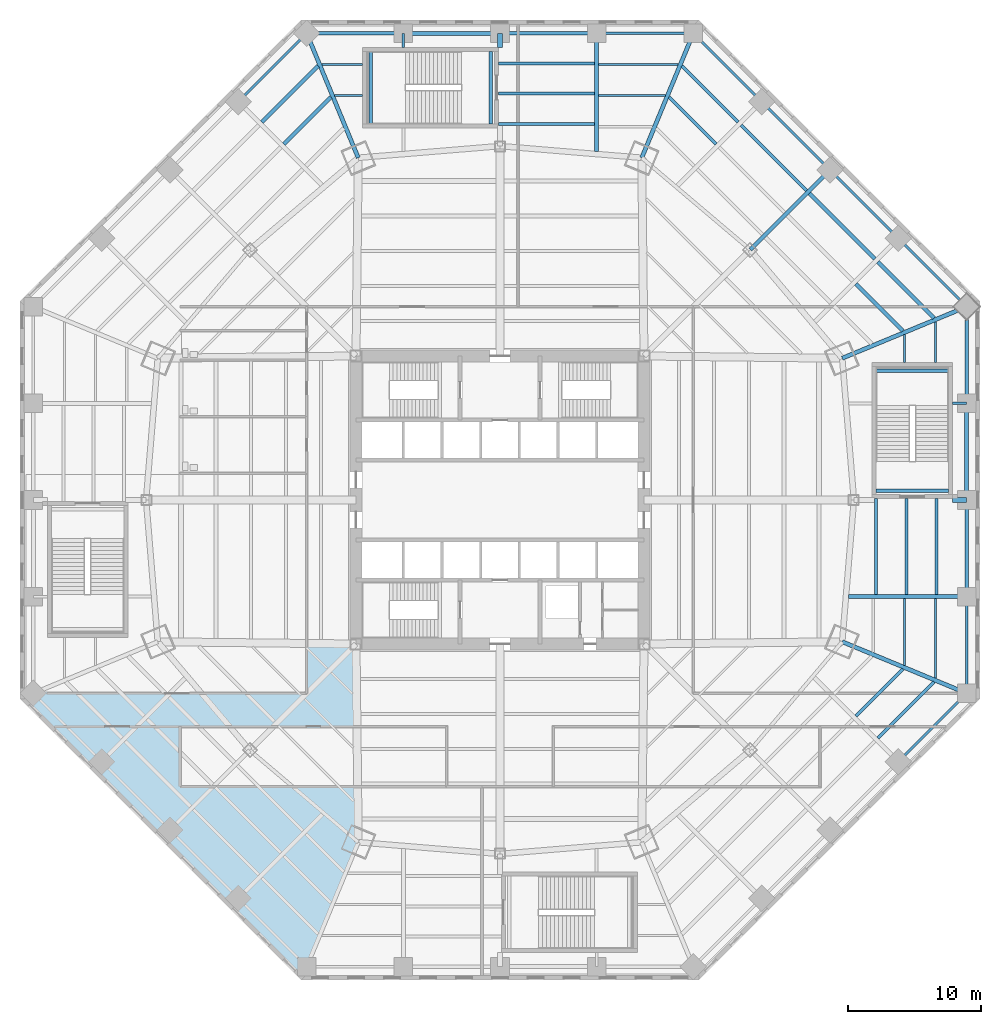
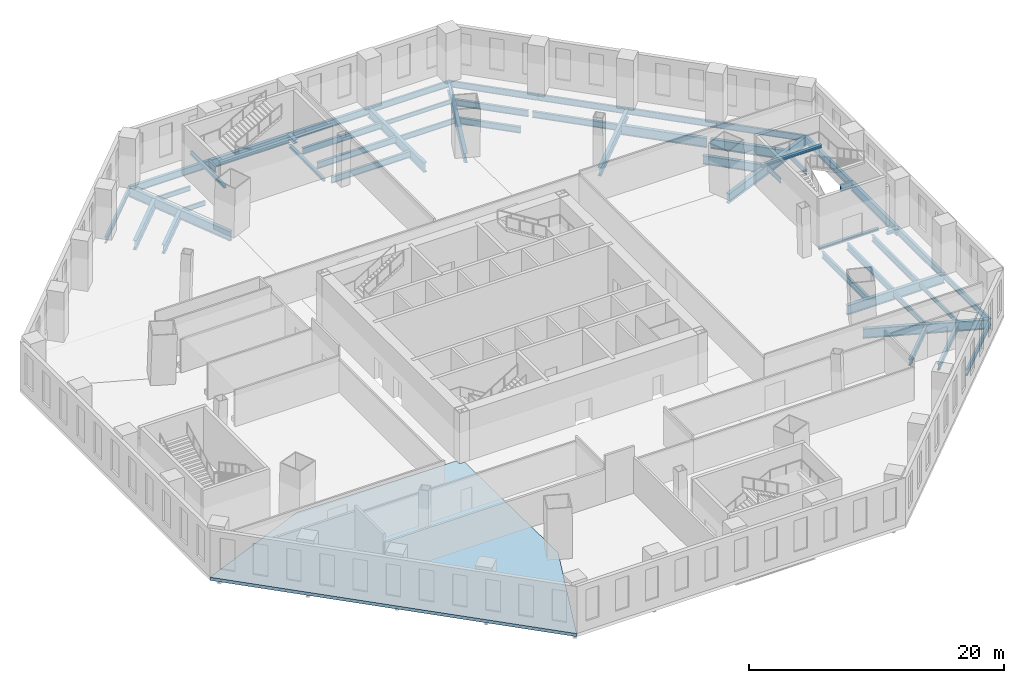
# One storey, part 6 of 19: 49 beams, 4 members, 1 slab.
"""IFC4 building model written with IfcOpenShell, lengths in metres."""

from ifc_helpers import new_model, si_unit, direction, frame, origin, origin_2d, place, context, subcontext, project, spatial, polyline, i_section, outline, extrude, source, transform, mapped, material, layer, layer_set, material_profile, profile_set, type_object, type_shapes, element, save


model = new_model("IFC4")

# Units and contexts
model_context = context("Model", 3, precision=1e-05, world=origin(), true_north=direction((0.0, 1.0)))
body_context = subcontext(model_context, "Body", "Model", "MODEL_VIEW")
ifc_project = project(units=[si_unit("LENGTHUNIT", "METRE"), si_unit("AREAUNIT", "SQUARE_METRE"), si_unit("VOLUMEUNIT", "CUBIC_METRE"), si_unit("PLANEANGLEUNIT", "RADIAN"), si_unit("MASSUNIT", "GRAM", prefix="KILO")], contexts=[model_context])

# Site, building, storey
site_placement = place(None, origin())
site = spatial("IfcSite", under=ifc_project, at=site_placement, CompositionType="ELEMENT")
building_placement = place(site_placement, origin())
building = spatial("IfcBuilding", under=site, at=building_placement, Name="Mashrafa Tower", CompositionType="ELEMENT")
storey_placement = place(building_placement, frame((0.0, 0.0, 24.0)))
storey = spatial("IfcBuildingStorey", under=building, at=storey_placement, Name="L04", CompositionType="ELEMENT", Elevation=24.0)

# Beams
ifc_material_1 = material(Name="Steel ASTM A992", Category="steel")
ifc_material_profile_1 = material_profile(ifc_material_1, i_section(OverallWidth=0.140380859375, OverallDepth=0.40380859375, WebThickness=0.007080078125, FlangeThickness=0.01123046875, FilletRadius=0.01025390625, at=origin_2d()), Name="W16X31")
ifc_profile_set_1 = profile_set([ifc_material_profile_1], Name="Steel ASTM A992")
beam_type_1 = type_object("IfcBeamType", Name="Beam W16X31", PredefinedType="BEAM", material=ifc_profile_set_1)
for number, where, z_axis, x_axis, name in (
    (1, (7.40234375, 32.66650390625, -0.501953125), (1.0, 0.0, 0.0), (0.0, 1.0, 0.0), "Floor beam L04 071"),
    (2, (32.66650390625, -7.40234375, -0.501953125), (0.0, -1.0, 0.0), (1.0, 0.0, 0.0), "Floor beam L04 118"),
):
    element("IfcBeam", number, at=place(storey_placement, frame(where, z_axis=z_axis, x_axis=x_axis)), inside=storey, type_object=beam_type_1, Name=name, PredefinedType="BEAM", context=body_context, shape_type="SweptSolid", body=[
        extrude(i_section(OverallWidth=0.140380859375, OverallDepth=0.40380859375, WebThickness=0.007080078125, FlangeThickness=0.01123046875, FilletRadius=0.01025390625, at=origin_2d()), origin(), (0.0, 0.0, 1.0), 5.962158203125),
    ])
ifc_material_2 = material(Name="Steel ASTM A992", Category="steel")
ifc_material_profile_2 = material_profile(ifc_material_2, i_section(OverallWidth=0.15234375, OverallDepth=0.449462890625, WebThickness=0.007568359375, FlangeThickness=0.0107421875, FilletRadius=0.01025390625, at=origin_2d()), Name="W18X35")
ifc_profile_set_2 = profile_set([ifc_material_profile_2], Name="Steel ASTM A992")
beam_type_2 = type_object("IfcBeamType", Name="Beam W18X35", PredefinedType="BEAM", material=ifc_profile_set_2)
beam_1_placement = place(storey_placement, frame((-13.364501953125, 32.66650390625, -0.52490234375), z_axis=(1.0, 0.0, 0.0), x_axis=(0.0, 1.0, 0.0)))
element("IfcBeam", 3, at=beam_1_placement, inside=storey, type_object=beam_type_2, Name="Floor beam L04 034", PredefinedType="BEAM", context=body_context, shape_type="SweptSolid", body=[
    extrude(i_section(OverallWidth=0.15234375, OverallDepth=0.449462890625, WebThickness=0.007568359375, FlangeThickness=0.0107421875, FilletRadius=0.01025390625, at=origin_2d()), origin(), (0.0, 0.0, 1.0), 3.064453125),
])
for number, where, z_axis, x_axis, name in (
    (4, (-12.398193359375, 30.3330078125, -0.52490234375), (1.0, 0.0, 0.0), (0.0, 1.0, 0.0), "Floor beam L04 040"),
    (5, (30.3330078125, 12.398193359375, -0.52490234375), (0.0, -1.0, 0.0), (1.0, 0.0, 0.0), "Floor beam L04 115"),
):
    element("IfcBeam", number, at=place(storey_placement, frame(where, z_axis=z_axis, x_axis=x_axis)), inside=storey, type_object=beam_type_2, Name=name, PredefinedType="BEAM", context=body_context, shape_type="SweptSolid", body=[
        extrude(i_section(OverallWidth=0.15234375, OverallDepth=0.449462890625, WebThickness=0.007568359375, FlangeThickness=0.0107421875, FilletRadius=0.01025390625, at=origin_2d()), origin(), (0.0, 0.0, 1.0), 2.09814453125),
    ])
beam_2_placement = place(storey_placement, frame((32.66650390625, 13.364501953125, -0.52490234375), z_axis=(0.0, -1.0, 0.0), x_axis=(1.0, 0.0, 0.0)))
element("IfcBeam", 6, at=beam_2_placement, inside=storey, type_object=beam_type_2, Name="Floor beam L04 119", PredefinedType="BEAM", context=body_context, shape_type="SweptSolid", body=[
    extrude(i_section(OverallWidth=0.15234375, OverallDepth=0.449462890625, WebThickness=0.007568359375, FlangeThickness=0.0107421875, FilletRadius=0.01025390625, at=origin_2d()), origin(), (0.0, 0.0, 1.0), 3.064453125),
])
ifc_material_3 = material(Name="Steel ASTM A992", Category="steel")
ifc_material_profile_3 = material_profile(ifc_material_3, i_section(OverallWidth=0.1650390625, OverallDepth=0.52587890625, WebThickness=0.0087890625, FlangeThickness=0.011474609375, FilletRadius=0.0126953125, at=origin_2d()), Name="W21X44")
ifc_profile_set_3 = profile_set([ifc_material_profile_3], Name="Steel ASTM A992")
beam_type_3 = type_object("IfcBeamType", Name="Beam W21X44", PredefinedType="BEAM", material=ifc_profile_set_3)
for number, where, z_axis, x_axis, name in (
    (7, (7.40234375, 30.3330078125, -0.56298828125), (1.0, 0.0, 0.0), (0.0, 1.0, 0.0), "Floor beam L04 070"),
    (8, (30.3330078125, -7.40234375, -0.56298828125), (0.0, -1.0, 0.0), (1.0, 0.0, 0.0), "Floor beam L04 114"),
):
    element("IfcBeam", number, at=place(storey_placement, frame(where, z_axis=z_axis, x_axis=x_axis)), inside=storey, type_object=beam_type_3, Name=name, PredefinedType="BEAM", context=body_context, shape_type="SweptSolid", body=[
        extrude(i_section(OverallWidth=0.1650390625, OverallDepth=0.52587890625, WebThickness=0.0087890625, FlangeThickness=0.011474609375, FilletRadius=0.0126953125, at=origin_2d()), origin(), (0.0, 0.0, 1.0), 4.995849609375),
    ])
ifc_material_4 = material(Name="Steel ASTM A992", Category="steel")
ifc_material_profile_4 = material_profile(ifc_material_4, i_section(OverallWidth=0.177978515625, OverallDepth=0.599365234375, WebThickness=0.010009765625, FlangeThickness=0.012939453125, FilletRadius=0.012939453125, at=origin_2d()), Name="W24X55")
ifc_profile_set_4 = profile_set([ifc_material_profile_4], Name="Steel ASTM A992")
beam_type_4 = type_object("IfcBeamType", Name="Beam W24X55", PredefinedType="BEAM", material=ifc_profile_set_4)
beam_3_placement = place(storey_placement, frame((-14.49755859375, 35.0, -0.599609375), z_axis=(-0.707106781187, -0.707106781187, 0.0), x_axis=(0.707106781187, -0.707106781187, 0.0)))
element("IfcBeam", 9, at=beam_3_placement, inside=storey, type_object=beam_type_4, Name="Podium edge beam L04 133", PredefinedType="BEAM", context=body_context, shape_type="SweptSolid", body=[
    extrude(i_section(OverallWidth=0.177978515625, OverallDepth=0.599365234375, WebThickness=0.010009765625, FlangeThickness=0.012939453125, FilletRadius=0.012939453125, at=origin_2d()), origin(), (0.0, 0.0, 1.0), 7.24853515625),
])
beam_4_placement = place(storey_placement, frame((14.49755859375, 35.0, -0.599609375), z_axis=(-1.0, 0.0, 0.0), x_axis=(0.0, -1.0, 0.0)))
element("IfcBeam", 10, at=beam_4_placement, inside=storey, type_object=beam_type_4, Name="Podium edge beam L04 141", PredefinedType="BEAM", context=body_context, shape_type="SweptSolid", body=[
    extrude(i_section(OverallWidth=0.177978515625, OverallDepth=0.599365234375, WebThickness=0.010009765625, FlangeThickness=0.012939453125, FilletRadius=0.012939453125, at=origin_2d()), origin(), (0.0, 0.0, 1.0), 7.248779296875),
])
beam_5_placement = place(storey_placement, frame((19.623046875, 29.87451171875, -0.599609375), z_axis=(-0.707106781187, 0.707106781187, 0.0), x_axis=(-0.707106781187, -0.707106781187, 0.0)))
element("IfcBeam", 11, at=beam_5_placement, inside=storey, type_object=beam_type_4, Name="Podium edge beam L04 143", PredefinedType="BEAM", context=body_context, shape_type="SweptSolid", body=[
    extrude(i_section(OverallWidth=0.177978515625, OverallDepth=0.599365234375, WebThickness=0.010009765625, FlangeThickness=0.012939453125, FilletRadius=0.012939453125, at=origin_2d()), origin(), (0.0, 0.0, 1.0), 7.24853515625),
])
beam_6_placement = place(storey_placement, frame((24.748779296875, 24.748779296875, -0.599609375), z_axis=(-0.707106781187, 0.707106781187, 0.0), x_axis=(-0.707106781187, -0.707106781187, 0.0)))
element("IfcBeam", 12, at=beam_6_placement, inside=storey, type_object=beam_type_4, Name="Podium edge beam L04 145", PredefinedType="BEAM", context=body_context, shape_type="SweptSolid", body=[
    extrude(i_section(OverallWidth=0.177978515625, OverallDepth=0.599365234375, WebThickness=0.010009765625, FlangeThickness=0.012939453125, FilletRadius=0.012939453125, at=origin_2d()), origin(), (0.0, 0.0, 1.0), 7.248779296875),
])
beam_7_placement = place(storey_placement, frame((29.87451171875, -19.623046875, -0.599609375), z_axis=(0.707106781187, 0.707106781187, 0.0), x_axis=(-0.707106781187, 0.707106781187, 0.0)))
element("IfcBeam", 13, at=beam_7_placement, inside=storey, type_object=beam_type_4, Name="Podium edge beam L04 146", PredefinedType="BEAM", context=body_context, shape_type="SweptSolid", body=[
    extrude(i_section(OverallWidth=0.177978515625, OverallDepth=0.599365234375, WebThickness=0.010009765625, FlangeThickness=0.012939453125, FilletRadius=0.012939453125, at=origin_2d()), origin(), (0.0, 0.0, 1.0), 7.24853515625),
])
for number, where, z_axis, x_axis, name in (
    (14, (29.87451171875, 19.623046875, -0.599609375), (-0.707106781187, 0.707106781187, 0.0), (-0.707106781187, -0.707106781187, 0.0), "Podium edge beam L04 147"),
    (15, (35.0, -14.49755859375, -0.599609375), (0.0, 1.0, 0.0), (-1.0, 0.0, 0.0), "Podium edge beam L04 148"),
):
    element("IfcBeam", number, at=place(storey_placement, frame(where, z_axis=z_axis, x_axis=x_axis)), inside=storey, type_object=beam_type_4, Name=name, PredefinedType="BEAM", context=body_context, shape_type="SweptSolid", body=[
        extrude(i_section(OverallWidth=0.177978515625, OverallDepth=0.599365234375, WebThickness=0.010009765625, FlangeThickness=0.012939453125, FilletRadius=0.012939453125, at=origin_2d()), origin(), (0.0, 0.0, 1.0), 7.248779296875),
    ])
beam_8_placement = place(storey_placement, frame((35.0, 14.49755859375, -0.599609375), z_axis=(-0.707106781187, 0.707106781187, 0.0), x_axis=(-0.707106781187, -0.707106781187, 0.0)))
element("IfcBeam", 16, at=beam_8_placement, inside=storey, type_object=beam_type_4, Name="Podium edge beam L04 152", PredefinedType="BEAM", context=body_context, shape_type="SweptSolid", body=[
    extrude(i_section(OverallWidth=0.177978515625, OverallDepth=0.599365234375, WebThickness=0.010009765625, FlangeThickness=0.012939453125, FilletRadius=0.012939453125, at=origin_2d()), origin(), (0.0, 0.0, 1.0), 7.24853515625),
])
ifc_material_5 = material(Name="Steel ASTM A992", Category="steel")
ifc_material_profile_5 = material_profile(ifc_material_5, i_section(OverallWidth=0.227783203125, OverallDepth=0.60205078125, WebThickness=0.010498046875, FlangeThickness=0.014892578125, FilletRadius=0.012939453125, at=origin_2d()), Name="W24X68")
ifc_profile_set_5 = profile_set([ifc_material_profile_5], Name="Steel ASTM A992")
beam_type_5 = type_object("IfcBeamType", Name="Beam W24X68", PredefinedType="BEAM", material=ifc_profile_set_5)
for number, where, z_axis, x_axis, name in (
    (17, (-0.10009765625, 30.472900390625, -0.60107421875), (1.0, 0.0, 0.0), (0.0, 1.0, 0.0), "Floor beam L04 054"),
    (18, (-0.10009765625, 32.736328125, -0.60107421875), (1.0, 0.0, 0.0), (0.0, 1.0, 0.0), "Floor beam L04 055"),
):
    element("IfcBeam", number, at=place(storey_placement, frame(where, z_axis=z_axis, x_axis=x_axis)), inside=storey, type_object=beam_type_5, Name=name, PredefinedType="BEAM", context=body_context, shape_type="SweptSolid", body=[
        extrude(i_section(OverallWidth=0.227783203125, OverallDepth=0.60205078125, WebThickness=0.010498046875, FlangeThickness=0.014892578125, FilletRadius=0.012939453125, at=origin_2d()), origin(), (0.0, 0.0, 1.0), 7.195068359375),
    ])
for number, where, z_axis, x_axis, name in (
    (19, (12.681884765625, 30.21533203125, -0.60107421875), (0.707131216842, -0.707082344687, 0.0), (0.707082344687, 0.707131216842, 0.0), "Floor beam L04 082 part 1"),
    (20, (30.21533203125, -12.681884765625, -0.60107421875), (-0.707082344687, -0.707131216842, 0.0), (0.707131216842, -0.707082344687, 0.0), "Floor beam L04 113 part 1"),
):
    element("IfcBeam", number, at=place(storey_placement, frame(where, z_axis=z_axis, x_axis=x_axis)), inside=storey, type_object=beam_type_5, Name=name, PredefinedType="BEAM", context=body_context, shape_type="SweptSolid", body=[
        extrude(i_section(OverallWidth=0.227783203125, OverallDepth=0.60205078125, WebThickness=0.010498046875, FlangeThickness=0.014892578125, FilletRadius=0.012939453125, at=origin_2d()), origin(), (0.0, 0.0, 1.0), 4.99560546875),
    ])
for number, where, z_axis, x_axis, name in (
    (21, (30.472900390625, 0.10009765625, -0.60107421875), (0.0, -1.0, 0.0), (1.0, 0.0, 0.0), "Floor beam L04 116"),
    (22, (32.736328125, 0.10009765625, -0.60107421875), (0.0, -1.0, 0.0), (1.0, 0.0, 0.0), "Floor beam L04 120"),
):
    element("IfcBeam", number, at=place(storey_placement, frame(where, z_axis=z_axis, x_axis=x_axis)), inside=storey, type_object=beam_type_5, Name=name, PredefinedType="BEAM", context=body_context, shape_type="SweptSolid", body=[
        extrude(i_section(OverallWidth=0.227783203125, OverallDepth=0.60205078125, WebThickness=0.010498046875, FlangeThickness=0.014892578125, FilletRadius=0.012939453125, at=origin_2d()), origin(), (0.0, 0.0, 1.0), 7.195068359375),
    ])
ifc_material_6 = material(Name="Steel ASTM A992", Category="steel")
ifc_material_profile_6 = material_profile(ifc_material_6, i_section(OverallWidth=0.228271484375, OverallDepth=0.607177734375, WebThickness=0.01123046875, FlangeThickness=0.017333984375, FilletRadius=0.0126953125, at=origin_2d()), Name="W24X76")
ifc_profile_set_6 = profile_set([ifc_material_profile_6], Name="Steel ASTM A992")
beam_type_6 = type_object("IfcBeamType", Name="Beam W24X76", PredefinedType="BEAM", material=ifc_profile_set_6)
beam_9_placement = place(storey_placement, frame((13.6484375, 32.548828125, -0.603515625), z_axis=(0.707127254781, -0.707086306999, 0.0), x_axis=(0.707086306999, 0.707127254781, 0.0)))
element("IfcBeam", 23, at=beam_9_placement, inside=storey, type_object=beam_type_6, Name="Floor beam L04 088 part 1", PredefinedType="BEAM", context=body_context, shape_type="SweptSolid", body=[
    extrude(i_section(OverallWidth=0.228271484375, OverallDepth=0.607177734375, WebThickness=0.01123046875, FlangeThickness=0.017333984375, FilletRadius=0.0126953125, at=origin_2d()), origin(), (0.0, 0.0, 1.0), 5.962158203125),
])
beam_10_placement = place(storey_placement, frame((18.081787109375, 28.11572265625, -0.603515625), z_axis=(0.707089214407, -0.707124347529, 0.0), x_axis=(0.707124347529, 0.707089214407, 0.0)))
element("IfcBeam", 24, at=beam_10_placement, inside=storey, type_object=beam_type_6, Name="Floor beam L04 088 part 2", PredefinedType="BEAM", context=body_context, shape_type="SweptSolid", body=[
    extrude(i_section(OverallWidth=0.228271484375, OverallDepth=0.607177734375, WebThickness=0.01123046875, FlangeThickness=0.017333984375, FilletRadius=0.0126953125, at=origin_2d()), origin(), (0.0, 0.0, 1.0), 6.948974609375),
])
beam_11_placement = place(storey_placement, frame((32.548828125, -13.6484375, -0.603515625), z_axis=(-0.707086306999, -0.707127254781, 0.0), x_axis=(0.707127254781, -0.707086306999, 0.0)))
element("IfcBeam", 25, at=beam_11_placement, inside=storey, type_object=beam_type_6, Name="Floor beam L04 117 part 1", PredefinedType="BEAM", context=body_context, shape_type="SweptSolid", body=[
    extrude(i_section(OverallWidth=0.228271484375, OverallDepth=0.607177734375, WebThickness=0.01123046875, FlangeThickness=0.017333984375, FilletRadius=0.0126953125, at=origin_2d()), origin(), (0.0, 0.0, 1.0), 5.962158203125),
])
ifc_material_7 = material(Name="Steel ASTM A992", Category="steel")
ifc_material_profile_7 = material_profile(ifc_material_7, i_section(OverallWidth=0.22900390625, OverallDepth=0.612060546875, WebThickness=0.011962890625, FlangeThickness=0.01953125, FilletRadius=0.0126953125, at=origin_2d()), Name="W24X84")
ifc_profile_set_7 = profile_set([ifc_material_profile_7], Name="Steel ASTM A992")
beam_type_7 = type_object("IfcBeamType", Name="Beam W24X84", PredefinedType="BEAM", material=ifc_profile_set_7)
for number, where, z_axis, x_axis, name in (
    (26, (-0.10009765625, 28.208984375, -0.60595703125), (1.0, 0.0, 0.0), (0.0, 1.0, 0.0), "Floor beam L04 053"),
    (27, (28.208984375, 0.10009765625, -0.60595703125), (0.0, -1.0, 0.0), (1.0, 0.0, 0.0), "Floor beam L04 112"),
):
    element("IfcBeam", number, at=place(storey_placement, frame(where, z_axis=z_axis, x_axis=x_axis)), inside=storey, type_object=beam_type_7, Name=name, PredefinedType="BEAM", context=body_context, shape_type="SweptSolid", body=[
        extrude(i_section(OverallWidth=0.22900390625, OverallDepth=0.612060546875, WebThickness=0.011962890625, FlangeThickness=0.01953125, FilletRadius=0.0126953125, at=origin_2d()), origin(), (0.0, 0.0, 1.0), 7.195068359375),
    ])
ifc_material_8 = material(Name="Steel ASTM A992", Category="steel")
ifc_material_profile_8 = material_profile(ifc_material_8, i_section(OverallWidth=0.25390625, OverallDepth=0.683349609375, WebThickness=0.012451171875, FlangeThickness=0.01904296875, FilletRadius=0.01513671875, at=origin_2d()), Name="W27X94")
ifc_profile_set_8 = profile_set([ifc_material_profile_8], Name="Steel ASTM A992")
beam_type_8 = type_object("IfcBeamType", Name="Beam W27X94", PredefinedType="BEAM", material=ifc_profile_set_8)
for number, where, z_axis, x_axis, name in (
    (28, (-7.248779296875, 35.0, -0.6416015625), (-1.0, 0.0, 0.0), (0.0, -1.0, 0.0), "Podium edge beam L04 135"),
    (29, (7.248779296875, 35.0, -0.6416015625), (-1.0, 0.0, 0.0), (0.0, -1.0, 0.0), "Podium edge beam L04 139"),
    (30, (35.0, -7.248779296875, -0.6416015625), (0.0, 1.0, 0.0), (-1.0, 0.0, 0.0), "Podium edge beam L04 149"),
    (31, (35.0, 7.248779296875, -0.6416015625), (0.0, 1.0, 0.0), (-1.0, 0.0, 0.0), "Podium edge beam L04 151"),
):
    element("IfcBeam", number, at=place(storey_placement, frame(where, z_axis=z_axis, x_axis=x_axis)), inside=storey, type_object=beam_type_8, Name=name, PredefinedType="BEAM", context=body_context, shape_type="SweptSolid", body=[
        extrude(i_section(OverallWidth=0.25390625, OverallDepth=0.683349609375, WebThickness=0.012451171875, FlangeThickness=0.01904296875, FilletRadius=0.01513671875, at=origin_2d()), origin(), (0.0, 0.0, 1.0), 7.248779296875),
    ])
ifc_material_9 = material(Name="Steel ASTM A992", Category="steel")
ifc_material_profile_9 = material_profile(ifc_material_9, i_section(OverallWidth=0.2919921875, OverallDepth=0.845703125, WebThickness=0.015380859375, FlangeThickness=0.0244140625, FilletRadius=0.017333984375, at=origin_2d()), Name="W33X141")
ifc_profile_set_9 = profile_set([ifc_material_profile_9], Name="Steel ASTM A992")
beam_type_9 = type_object("IfcBeamType", Name="Beam W33X141", PredefinedType="BEAM", material=ifc_profile_set_9)
for number, where, z_axis, x_axis, name in (
    (32, (-16.21435546875, 26.68310546875, -0.722900390625), (0.707131216842, 0.707082344687, 0.0), (-0.707082344687, 0.707131216842, 0.0), "Floor beam L04 018 part 2"),
    (33, (26.68310546875, 16.21435546875, -0.722900390625), (0.707082344687, -0.707131216842, 0.0), (0.707131216842, 0.707082344687, 0.0), "Floor beam L04 104 part 2"),
):
    element("IfcBeam", number, at=place(storey_placement, frame(where, z_axis=z_axis, x_axis=x_axis)), inside=storey, type_object=beam_type_9, Name=name, PredefinedType="BEAM", context=body_context, shape_type="SweptSolid", body=[
        extrude(i_section(OverallWidth=0.2919921875, OverallDepth=0.845703125, WebThickness=0.015380859375, FlangeThickness=0.0244140625, FilletRadius=0.017333984375, at=origin_2d()), origin(), (0.0, 0.0, 1.0), 4.99560546875),
    ])
for number, where, z_axis, x_axis, name in (
    (34, (0.0, 35.0, -0.722900390625), (-1.0, 0.0, 0.0), (0.0, -1.0, 0.0), "Podium edge beam L04 137"),
    (35, (35.0, 0.0, -0.722900390625), (0.0, 1.0, 0.0), (-1.0, 0.0, 0.0), "Podium edge beam L04 150"),
):
    element("IfcBeam", number, at=place(storey_placement, frame(where, z_axis=z_axis, x_axis=x_axis)), inside=storey, type_object=beam_type_9, Name=name, PredefinedType="BEAM", context=body_context, shape_type="SweptSolid", body=[
        extrude(i_section(OverallWidth=0.2919921875, OverallDepth=0.845703125, WebThickness=0.015380859375, FlangeThickness=0.0244140625, FilletRadius=0.017333984375, at=origin_2d()), origin(), (0.0, 0.0, 1.0), 7.248779296875),
    ])
ifc_material_10 = material(Name="Steel ASTM A992", Category="steel")
ifc_material_profile_10 = material_profile(ifc_material_10, i_section(OverallWidth=0.2919921875, OverallDepth=0.8583984375, WebThickness=0.01708984375, FlangeThickness=0.031005859375, FilletRadius=0.017822265625, at=origin_2d()), Name="W33X169")
ifc_profile_set_10 = profile_set([ifc_material_profile_10], Name="Steel ASTM A992")
beam_type_10 = type_object("IfcBeamType", Name="Beam W33X169", PredefinedType="BEAM", material=ifc_profile_set_10)
beam_12_placement = place(storey_placement, frame((18.76953125, 18.76953125, -0.729248046875), z_axis=(0.707106781187, 0.707106781187, 0.0), x_axis=(-0.707106781187, 0.707106781187, 0.0)))
element("IfcBeam", 36, at=beam_12_placement, inside=storey, type_object=beam_type_10, Name="Podium radial beam L04 183", PredefinedType="BEAM", context=body_context, shape_type="SweptSolid", body=[
    extrude(i_section(OverallWidth=0.2919921875, OverallDepth=0.8583984375, WebThickness=0.01708984375, FlangeThickness=0.031005859375, FilletRadius=0.017822265625, at=origin_2d()), origin(), (0.0, 0.0, 1.0), 8.4560546875),
])
ifc_material_11 = material(Name="Steel ASTM A992", Category="steel")
ifc_material_profile_11 = material_profile(ifc_material_11, i_section(OverallWidth=0.3046875, OverallDepth=0.911865234375, WebThickness=0.015869140625, FlangeThickness=0.02392578125, FilletRadius=0.01904296875, at=origin_2d()), Name="W36X150")
ifc_profile_set_11 = profile_set([ifc_material_profile_11], Name="Steel ASTM A992")
beam_type_11 = type_object("IfcBeamType", Name="Beam W36X150", PredefinedType="BEAM", material=ifc_profile_set_11)
beam_13_placement = place(storey_placement, frame((-17.864501953125, 28.3330078125, -0.755859375), z_axis=(0.707127254781, 0.707086306999, 0.0), x_axis=(-0.707086306999, 0.707127254781, 0.0)))
element("IfcBeam", 37, at=beam_13_placement, inside=storey, type_object=beam_type_11, Name="Floor beam L04 015 part 2", PredefinedType="BEAM", context=body_context, shape_type="SweptSolid", body=[
    extrude(i_section(OverallWidth=0.3046875, OverallDepth=0.911865234375, WebThickness=0.015869140625, FlangeThickness=0.02392578125, FilletRadius=0.01904296875, at=origin_2d()), origin(), (0.0, 0.0, 1.0), 5.962158203125),
])
beam_14_placement = place(storey_placement, frame((23.201904296875, 22.995361328125, -0.755859375), z_axis=(0.707124347529, -0.707089214407, 0.0), x_axis=(0.707089214407, 0.707124347529, 0.0)))
element("IfcBeam", 38, at=beam_14_placement, inside=storey, type_object=beam_type_11, Name="Floor beam L04 107 part 1", PredefinedType="BEAM", context=body_context, shape_type="SweptSolid", body=[
    extrude(i_section(OverallWidth=0.3046875, OverallDepth=0.911865234375, WebThickness=0.015869140625, FlangeThickness=0.02392578125, FilletRadius=0.01904296875, at=origin_2d()), origin(), (0.0, 0.0, 1.0), 6.948974609375),
])
beam_15_placement = place(storey_placement, frame((28.3330078125, 17.864501953125, -0.755859375), z_axis=(0.707086306999, -0.707127254781, 0.0), x_axis=(0.707127254781, 0.707086306999, 0.0)))
element("IfcBeam", 39, at=beam_15_placement, inside=storey, type_object=beam_type_11, Name="Floor beam L04 107 part 2", PredefinedType="BEAM", context=body_context, shape_type="SweptSolid", body=[
    extrude(i_section(OverallWidth=0.3046875, OverallDepth=0.911865234375, WebThickness=0.015869140625, FlangeThickness=0.02392578125, FilletRadius=0.01904296875, at=origin_2d()), origin(), (0.0, 0.0, 1.0), 5.962158203125),
])
ifc_material_12 = material(Name="Steel ASTM A992", Category="steel")
ifc_material_profile_12 = material_profile(ifc_material_12, i_section(OverallWidth=0.307373046875, OverallDepth=0.927001953125, WebThickness=0.01953125, FlangeThickness=0.031982421875, FilletRadius=0.01904296875, at=origin_2d()), Name="W36X194")
ifc_profile_set_12 = profile_set([ifc_material_profile_12], Name="Steel ASTM A992")
beam_type_12 = type_object("IfcBeamType", Name="Beam W36X194", PredefinedType="BEAM", material=ifc_profile_set_12)
beam_16_placement = place(storey_placement, frame((-10.631103515625, 25.666015625, -0.763671875), z_axis=(-0.382699666719, 0.923872807855, 0.0), x_axis=(-0.923872807855, -0.382699666719, 0.0)))
element("IfcBeam", 40, at=beam_16_placement, inside=storey, type_object=beam_type_12, Name="Podium radial beam L04 167", PredefinedType="BEAM", context=body_context, shape_type="SweptSolid", body=[
    extrude(i_section(OverallWidth=0.307373046875, OverallDepth=0.927001953125, WebThickness=0.01953125, FlangeThickness=0.031982421875, FilletRadius=0.01904296875, at=origin_2d()), origin(), (0.0, 0.0, 1.0), 10.10302734375),
])
beam_17_placement = place(storey_placement, frame((7.248779296875, 26.15576171875, -0.763671875), z_axis=(0.0, 1.0, 0.0), x_axis=(-1.0, 0.0, 0.0)))
element("IfcBeam", 41, at=beam_17_placement, inside=storey, type_object=beam_type_12, Name="Podium radial beam L04 177", PredefinedType="BEAM", context=body_context, shape_type="SweptSolid", body=[
    extrude(i_section(OverallWidth=0.307373046875, OverallDepth=0.927001953125, WebThickness=0.01953125, FlangeThickness=0.031982421875, FilletRadius=0.01904296875, at=origin_2d()), origin(), (0.0, 0.0, 1.0), 8.84423828125),
])
for number, where, z_axis, x_axis, name in (
    (42, (10.631103515625, 25.666015625, -0.763671875), (0.382699666719, 0.923872807855, 0.0), (-0.923872807855, 0.382699666719, 0.0), "Podium radial beam L04 179"),
    (43, (25.666015625, -10.631103515625, -0.763671875), (0.923872807855, -0.382699666719, 0.0), (0.382699666719, 0.923872807855, 0.0), "Podium radial beam L04 186"),
    (44, (25.666015625, 10.631103515625, -0.763671875), (0.923872807855, 0.382699666719, 0.0), (-0.382699666719, 0.923872807855, 0.0), "Podium radial beam L04 187"),
):
    element("IfcBeam", number, at=place(storey_placement, frame(where, z_axis=z_axis, x_axis=x_axis)), inside=storey, type_object=beam_type_12, Name=name, PredefinedType="BEAM", context=body_context, shape_type="SweptSolid", body=[
        extrude(i_section(OverallWidth=0.307373046875, OverallDepth=0.927001953125, WebThickness=0.01953125, FlangeThickness=0.031982421875, FilletRadius=0.01904296875, at=origin_2d()), origin(), (0.0, 0.0, 1.0), 10.10302734375),
    ])
beam_18_placement = place(storey_placement, frame((26.15576171875, -7.248779296875, -0.763671875), z_axis=(1.0, 0.0, 0.0), x_axis=(0.0, 1.0, 0.0)))
element("IfcBeam", 45, at=beam_18_placement, inside=storey, type_object=beam_type_12, Name="Podium radial beam L04 188", PredefinedType="BEAM", context=body_context, shape_type="SweptSolid", body=[
    extrude(i_section(OverallWidth=0.307373046875, OverallDepth=0.927001953125, WebThickness=0.01953125, FlangeThickness=0.031982421875, FilletRadius=0.01904296875, at=origin_2d()), origin(), (0.0, 0.0, 1.0), 8.84423828125),
])
ifc_material_13 = material(Name="Steel ASTM A992", Category="steel")
ifc_material_profile_13 = material_profile(ifc_material_13, i_section(OverallWidth=0.25390625, OverallDepth=0.25390625, WebThickness=0.008544921875, FlangeThickness=0.01416015625, FilletRadius=0.010009765625, at=origin_2d()), Name="W10X49")
ifc_profile_set_13 = profile_set([ifc_material_profile_13], Name="Steel ASTM A992")
beam_type_13 = type_object("IfcBeamType", Name="Hoistway beam W10X49", PredefinedType="BEAM", material=ifc_profile_set_13)
for number, where, z_axis, x_axis, name in (
    (46, (28.199951171875, 0.699951171875, -0.427001953125), (1.0, 0.0, 0.0), (0.0, 1.0, 0.0), "Stair P1 landing beam L04"),
    (47, (28.199951171875, 9.699951171875, 2.072998046875), (1.0, 0.0, 0.0), (0.0, 1.0, 0.0), "Stair P1 landing beam L04"),
    (48, (-0.699951171875, 28.199951171875, -0.427001953125), (0.0, 1.0, 0.0), (-1.0, 0.0, 0.0), "Stair P2 landing beam L04"),
    (49, (-9.699951171875, 28.199951171875, 2.072998046875), (0.0, 1.0, 0.0), (-1.0, 0.0, 0.0), "Stair P2 landing beam L04"),
):
    element("IfcBeam", number, at=place(storey_placement, frame(where, z_axis=z_axis, x_axis=x_axis)), inside=storey, type_object=beam_type_13, Name=name, PredefinedType="BEAM", context=body_context, shape_type="SweptSolid", body=[
        extrude(i_section(OverallWidth=0.25390625, OverallDepth=0.25390625, WebThickness=0.008544921875, FlangeThickness=0.01416015625, FilletRadius=0.010009765625, at=origin_2d()), origin(), (0.0, 0.0, 1.0), 5.449951171875),
    ])

# Members
ifc_material_14 = material(Name="Steel ASTM A992", Category="steel")
ifc_material_profile_14 = material_profile(ifc_material_14, i_section(OverallWidth=0.177978515625, OverallDepth=0.599365234375, WebThickness=0.010009765625, FlangeThickness=0.012939453125, FilletRadius=0.012939453125, at=origin_2d()), Name="W24X55")
ifc_profile_set_14 = profile_set([ifc_material_profile_14], Name="Steel ASTM A992")
member_type_1 = type_object("IfcMemberType", Name="Tie strut W24X55", PredefinedType="STRUT", material=ifc_profile_set_14)
shared_shape_1 = source(origin(), body_context, "Body", "SweptSolid", [
    extrude(i_section(OverallWidth=0.177978515625, OverallDepth=0.599365234375, WebThickness=0.010009765625, FlangeThickness=0.012939453125, FilletRadius=0.012939453125, at=origin_2d()), origin(), (0.0, 0.0, 1.0), 1.050048828125),
])
type_shapes(member_type_1, [shared_shape_1])
for number, where, z_axis, x_axis, name in (
    (50, (-7.248779296875, 33.949951171875, -0.599609375), (0.0, 1.0, 0.0), (-1.0, 0.0, 0.0), "Tie strut L04 170"),
    (51, (33.949951171875, 7.248779296875, -0.599609375), (1.0, 0.0, 0.0), (0.0, 1.0, 0.0), "Tie strut L04 192"),
):
    element("IfcMember", number, at=place(storey_placement, frame(where, z_axis=z_axis, x_axis=x_axis)), inside=storey, type_object=member_type_1, Name=name, PredefinedType="STRUT", context=body_context, shape_type="MappedRepresentation", body=[
        mapped(shared_shape_1, transform((0.0, 0.0, 0.0))),
    ])
ifc_material_15 = material(Name="Steel ASTM A992", Category="steel")
ifc_material_profile_15 = material_profile(ifc_material_15, i_section(OverallWidth=0.368408203125, OverallDepth=0.355712890625, WebThickness=0.01123046875, FlangeThickness=0.01806640625, FilletRadius=0.01513671875, at=origin_2d()), Name="W14X90")
ifc_profile_set_15 = profile_set([ifc_material_profile_15], Name="Steel ASTM A992")
member_type_2 = type_object("IfcMemberType", Name="Tie strut W14X90", PredefinedType="STRUT", material=ifc_profile_set_15)
shared_shape_2 = source(origin(), body_context, "Body", "SweptSolid", [
    extrude(i_section(OverallWidth=0.368408203125, OverallDepth=0.355712890625, WebThickness=0.01123046875, FlangeThickness=0.01806640625, FilletRadius=0.01513671875, at=origin_2d()), origin(), (0.0, 0.0, 1.0), 1.050048828125),
])
type_shapes(member_type_2, [shared_shape_2])
for number, where, z_axis, x_axis, name in (
    (52, (0.0, 33.949951171875, -0.477783203125), (0.0, 1.0, 0.0), (-1.0, 0.0, 0.0), "Tie strut L04 174"),
    (53, (33.949951171875, 0.0, -0.477783203125), (1.0, 0.0, 0.0), (0.0, 1.0, 0.0), "Tie strut L04 191"),
):
    element("IfcMember", number, at=place(storey_placement, frame(where, z_axis=z_axis, x_axis=x_axis)), inside=storey, type_object=member_type_2, Name=name, PredefinedType="STRUT", context=body_context, shape_type="MappedRepresentation", body=[
        mapped(shared_shape_2, transform((0.0, 0.0, 0.0))),
    ])

# Slab
ifc_material_16 = material(Name="Concrete C35/45", Category="concrete")
ifc_layer = layer(ifc_material_16, 0.300048828125)
ifc_layer_set = layer_set([ifc_layer], Name="Floor slab 300")
slab_type = type_object("IfcSlabType", Name="Floor slab 300", PredefinedType="FLOOR", material=ifc_layer_set)
slab_placement = place(storey_placement, frame((0.0, 0.0, -0.300048828125)))
element("IfcSlab", 54, at=slab_placement, inside=storey, type_object=slab_type, Name="Floor slab L04 south-west bay", PredefinedType="FLOOR", context=body_context, shape_type="SweptSolid", body=[
    extrude(outline(polyline([(-36.0, -14.91162109375), (-35.0, -14.49755859375), (-25.666015625, -10.631103515625), (-11.25, -10.794921875), (-11.25, -11.25), (-10.794921875, -11.25), (-10.631103515625, -25.666015625), (-14.49755859375, -35.0), (-14.91162109375, -36.0), (-36.0, -14.91162109375)])), origin(), (0.0, 0.0, 1.0), 0.300048828125),
])

save(model, "model.ifc")
